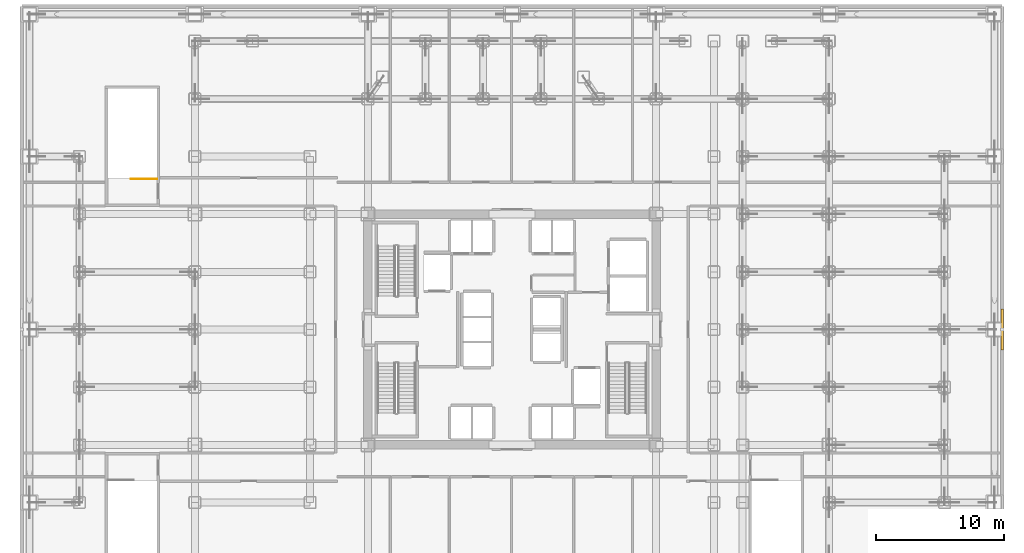
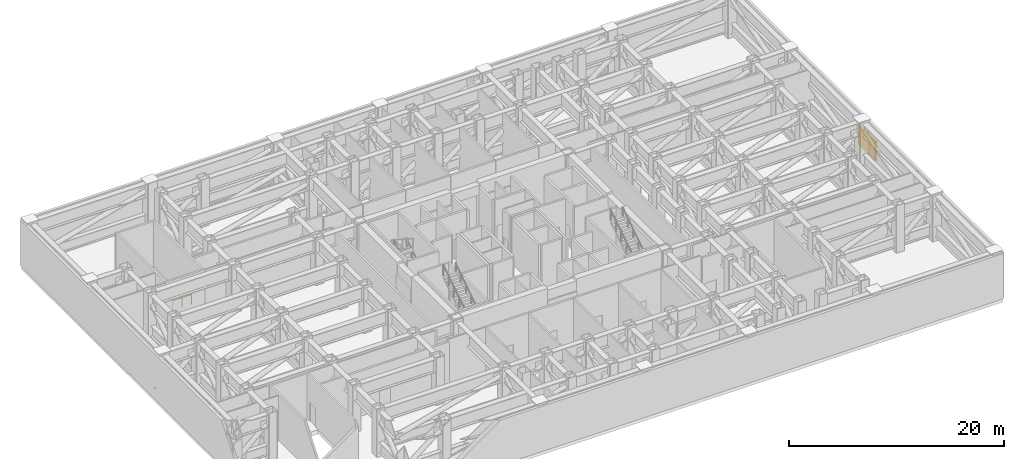
# One storey, part 17 of 17: 1 railing, 1 shading device.
"""IFC4 building model written with IfcOpenShell, lengths in metres."""

from ifc_helpers import new_model, si_unit, direction, frame, origin, origin_2d, place, context, subcontext, project, spatial, rectangle, circle, extrude, source, transform, mapped, material, type_object, element, save


model = new_model("IFC4")

# Units and contexts
model_context = context("Model", 3, precision=1e-05, world=origin(), true_north=direction((0.0, 1.0)))
body_context = subcontext(model_context, "Body", "Model", "MODEL_VIEW")
ifc_project = project(units=[si_unit("LENGTHUNIT", "METRE"), si_unit("AREAUNIT", "SQUARE_METRE"), si_unit("VOLUMEUNIT", "CUBIC_METRE"), si_unit("PLANEANGLEUNIT", "RADIAN"), si_unit("MASSUNIT", "GRAM", prefix="KILO")], contexts=[model_context])

# Site, building, storey
site_placement = place(None, origin())
site = spatial("IfcSite", under=ifc_project, at=site_placement, CompositionType="ELEMENT")
building_placement = place(site_placement, origin())
building = spatial("IfcBuilding", under=site, at=building_placement, Name="Nefas-Gora Pilgrimage Tower", CompositionType="ELEMENT")
storey_placement = place(building_placement, frame((0.0, 0.0, 27.60009765625)))
storey = spatial("IfcBuildingStorey", under=building, at=storey_placement, Name="L05", CompositionType="ELEMENT", Elevation=27.60009765625)

# Railing
ifc_material_1 = material(Name="Painted galvanised steel", Category="steel")
railing_type = type_object("IfcRailingType", Name="RLG-STR-GUARD-1100", PredefinedType="GUARDRAIL", material=ifc_material_1)
railing_placement = place(storey_placement, frame((-27.699951171875, 11.75, 0.0)))
element("IfcRailing", 1, at=railing_placement, inside=storey, type_object=railing_type, Name="L05 ST-04 top well guard 1", PredefinedType="GUARDRAIL", context=body_context, shape_type="SweptSolid", body=[
    extrude(circle(Radius=0.02392578125, at=origin_2d()), frame((0.0, 0.0, 1.09619140625), z_axis=(-1.0, 0.0, 0.0), x_axis=(0.0, -1.0, 0.0)), (0.0, 0.0, 1.0), 2.02001953125),
    extrude(circle(Radius=0.02099609375, at=origin_2d()), origin(), (0.0, 0.0, 1.0), 1.072021484375),
    extrude(circle(Radius=0.02099609375, at=origin_2d()), frame((-1.010009765625, 0.0, 0.0)), (0.0, 0.0, 1.0), 1.072021484375),
    extrude(circle(Radius=0.02099609375, at=origin_2d()), frame((-2.02001953125, 0.0, 0.0)), (0.0, 0.0, 1.0), 1.072021484375),
])

# Shading device
ifc_material_2 = material(Name="Dark-bronze anodised aluminium acoustic storm louvre", Category="aluminium")
shading_device_type = type_object("IfcShadingDeviceType", Name="SHD-LOUVRE-JAL", PredefinedType="JALOUSIE", material=ifc_material_2)
shared_shape = source(origin(), body_context, "Body", "SweptSolid", [
    extrude(rectangle(XDim=3.199951171875, YDim=0.179931640625, at=origin_2d()), origin(), (0.0, 0.0, 1.0), 2.199951171875),
])
shading_device_placement = place(storey_placement, frame((38.25, 0.0, 1.2998046875), z_axis=(0.0, 0.0, 1.0), x_axis=(0.0, 1.0, 0.0)))
element("IfcShadingDevice", 2, at=shading_device_placement, inside=storey, type_object=shading_device_type, Name="L05 Transfer Plant Storm Louvre 1", PredefinedType="JALOUSIE", context=body_context, shape_type="MappedRepresentation", body=[
    mapped(shared_shape, transform((0.0, 0.0, 0.0), x_axis=(1.0, 0.0, 0.0), y_axis=(0.0, 1.0, 0.0), z_axis=(0.0, 0.0, 1.0), scale=1.0)),
])

save(model, "model.ifc")
